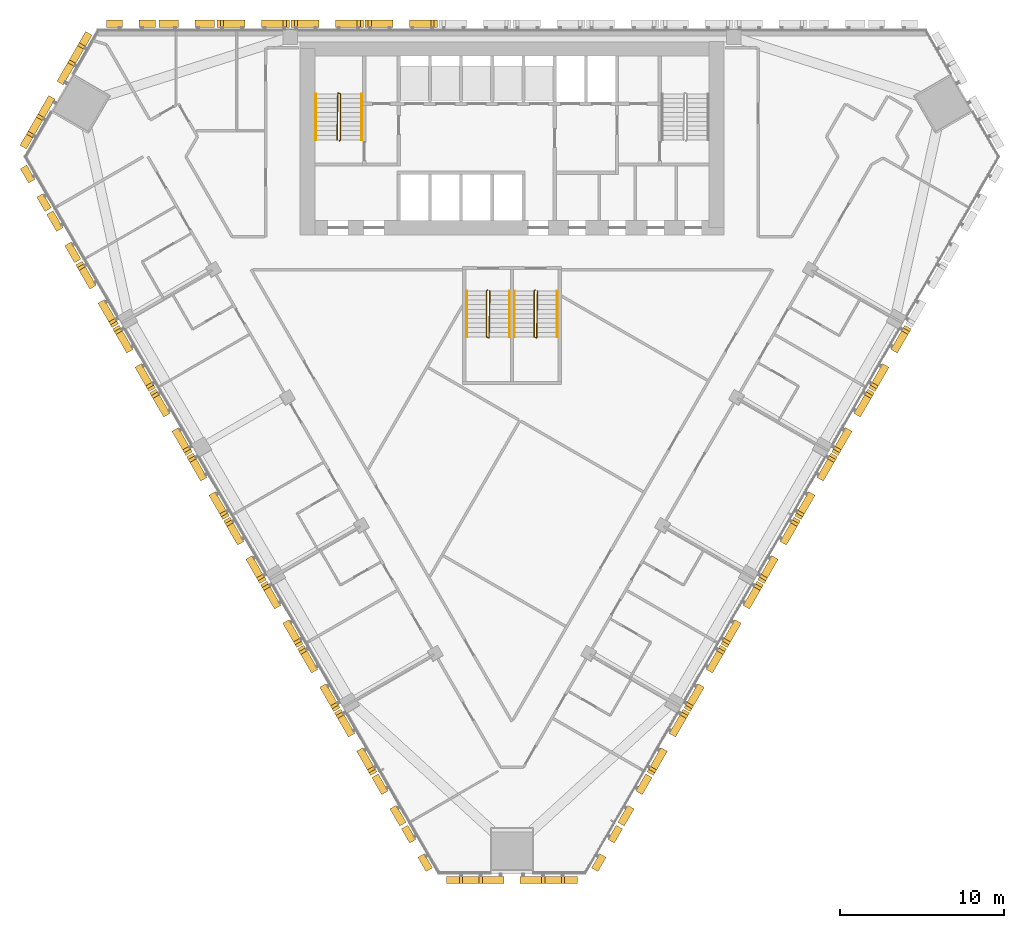
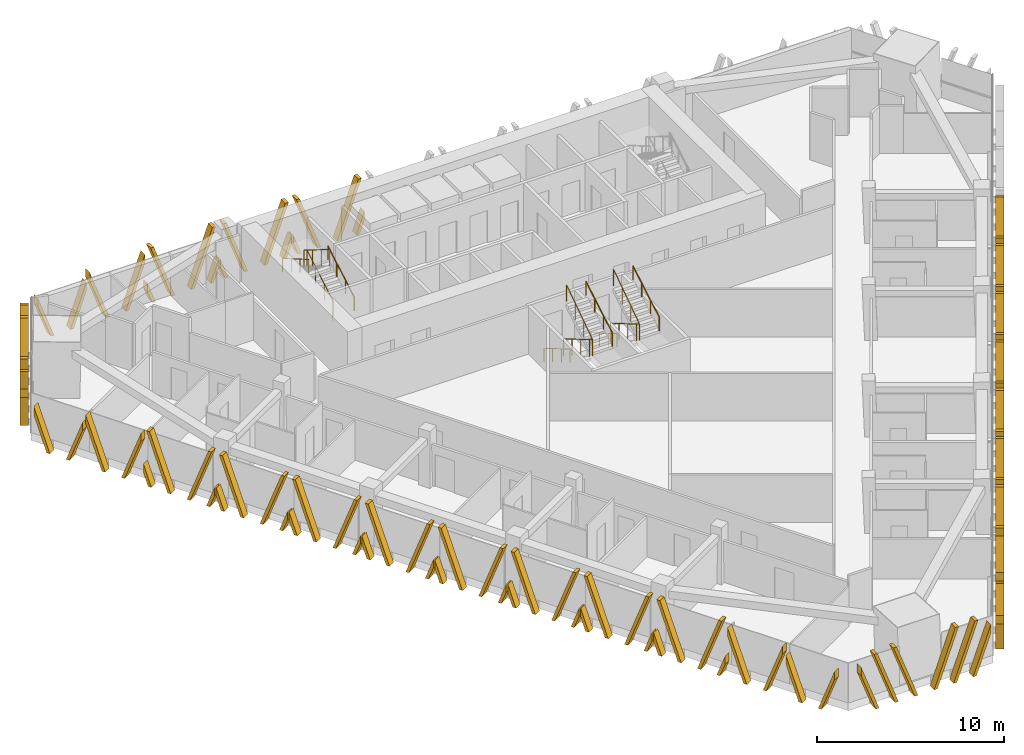
# One storey, part 14 of 16: 28 shading devices, 9 railings.
"""IFC4 building model written with IfcOpenShell, lengths in metres."""

import ifcopenshell
import ifcopenshell.guid

model = None  # the IFC model being written
_history = None  # IfcOwnerHistory: only IFC2X3 demands one
_inside = {}  # id of a spatial element -> (the spatial element, [elements in it])
_under = {}  # id of a project, library or spatial element -> (it, [spatial elements below it])
_declared = {}  # id of a project -> (the project, [libraries it declares])
_typed = {}  # id of a type object -> (the type object, [elements of that type])
_made_of = {}  # id of a material, layer set ... -> (it, [elements and type objects made of it])


def new_model(schema):
    """Start an empty IFC model of exactly this schema.

    Asked for "IFC4X3", IfcOpenShell would pick the latest addendum, in which some entities
    have other attributes; the version numbers below select the first issue.
    IFC2X3 requires an IfcOwnerHistory on every rooted entity: one is made here for all.
    """
    global model, _history
    if schema == "IFC4X3":
        model = ifcopenshell.file(schema_version=(4, 3, 0, 0))
    else:
        model = ifcopenshell.file(schema=schema)
    _inside.clear()
    _under.clear()
    _declared.clear()
    _typed.clear()
    _made_of.clear()
    _history = None
    if model.schema == "IFC2X3":
        org = make("IfcOrganization", Name="unknown")
        user = make(
            "IfcPersonAndOrganization",
            ThePerson=make("IfcPerson", FamilyName="unknown"),
            TheOrganization=org,
        )
        app = make(
            "IfcApplication",
            ApplicationDeveloper=org,
            Version="unknown",
            ApplicationFullName="unknown",
            ApplicationIdentifier="unknown",
        )
        _history = make(
            "IfcOwnerHistory",
            OwningUser=user,
            OwningApplication=app,
            ChangeAction="ADDED",
            CreationDate=0,
        )
    return model


def make(cls, **values):
    """One entity of the class cls with the attributes given. An attribute that is None is left unset."""
    return model.create_entity(
        cls, **{name: value for name, value in values.items() if value is not None}
    )


def rooted(cls, **values):
    """An entity with a GlobalId (a new one), such as an element, a storey or a relation."""
    return make(cls, GlobalId=ifcopenshell.guid.new(), OwnerHistory=_history, **values)


def si_unit(unit_type, name, prefix=None):
    """IfcSIUnit, for example si_unit("LENGTHUNIT", "METRE", prefix="MILLI")."""
    return make("IfcSIUnit", UnitType=unit_type, Prefix=prefix, Name=name)


def assignment(units):
    """IfcUnitAssignment: the units of a project."""
    return None if units is None else make("IfcUnitAssignment", Units=units)


def point(xyz):
    """IfcCartesianPoint."""
    return None if xyz is None else make("IfcCartesianPoint", Coordinates=xyz)


def direction(xyz):
    """IfcDirection."""
    return None if xyz is None else make("IfcDirection", DirectionRatios=xyz)


def frame(location, z_axis=None, x_axis=None):
    """IfcAxis2Placement3D, a coordinate frame: its origin and axes. An axis left out is left unset."""
    return make(
        "IfcAxis2Placement3D",
        Location=point(location),
        Axis=direction(z_axis),
        RefDirection=direction(x_axis),
    )


def frame_2d(location, x_axis=None):
    """IfcAxis2Placement2D, a coordinate frame in the plane: its origin and x axis."""
    return make(
        "IfcAxis2Placement2D", Location=point(location), RefDirection=direction(x_axis)
    )


def origin():
    """The frame at (0, 0, 0) with its axes left unset."""
    return frame((0.0, 0.0, 0.0))


def origin_2d():
    """The frame at (0, 0) in the plane with its x axis left unset."""
    return frame_2d((0.0, 0.0))


def place(relative_to, where):
    """IfcLocalPlacement: puts the frame where relative to a parent placement (None: the world)."""
    return make(
        "IfcLocalPlacement", PlacementRelTo=relative_to, RelativePlacement=where
    )


def context(
    kind, dimensions, precision=None, world=None, true_north=None, identifier=None
):
    """IfcGeometricRepresentationContext, for example the 3D "Model" context."""
    return make(
        "IfcGeometricRepresentationContext",
        ContextIdentifier=identifier,
        ContextType=kind,
        CoordinateSpaceDimension=dimensions,
        Precision=precision,
        WorldCoordinateSystem=world,
        TrueNorth=true_north,
    )


def subcontext(parent, identifier, kind, view, scale=None):
    """IfcGeometricRepresentationSubContext, for example "Body" below "Model"."""
    return make(
        "IfcGeometricRepresentationSubContext",
        ContextIdentifier=identifier,
        ContextType=kind,
        ParentContext=parent,
        TargetScale=scale,
        TargetView=view,
    )


def project(units=None, contexts=None):
    """IfcProject with its units and contexts."""
    return rooted(
        "IfcProject",
        Name="project",
        RepresentationContexts=contexts,
        UnitsInContext=assignment(units),
    )


def spatial(cls, under=None, at=None, **own):
    """A site, building, storey or space (cls), placed at a placement, below another one or the project."""
    s = rooted(cls, ObjectPlacement=at, **own)
    if under is not None:
        _under.setdefault(under.id(), (under, []))[1].append(s)
    return s


def polyline(points):
    """IfcPolyline through the points."""
    return make("IfcPolyline", Points=[point(p) for p in points])


def profile(cls, at=None, kind="AREA", **sizes):
    """A parametric profile (cls). Its sizes go by their IFC names, for example OverallWidth=200.0."""
    return make(cls, ProfileType=kind, Position=at, **sizes)


def circle(**sizes):
    """IfcCircleProfileDef."""
    return profile("IfcCircleProfileDef", **sizes)


def outline(outer, holes=None, kind="AREA"):
    """IfcArbitraryClosedProfileDef: a profile drawn as a closed curve; with holes, ...WithVoids."""
    if holes is None:
        return make("IfcArbitraryClosedProfileDef", ProfileType=kind, OuterCurve=outer)
    return make(
        "IfcArbitraryProfileDefWithVoids",
        ProfileType=kind,
        OuterCurve=outer,
        InnerCurves=holes,
    )


def extrude(swept, where, along, depth):
    """IfcExtrudedAreaSolid: the profile swept, set in the frame where, extruded along a direction by depth."""
    return make(
        "IfcExtrudedAreaSolid",
        SweptArea=swept,
        Position=where,
        ExtrudedDirection=direction(along),
        Depth=depth,
    )


def shape(context_of_items, identifier, shape_type, items):
    """IfcShapeRepresentation: the items that make up one representation, for example the "Body"."""
    return make(
        "IfcShapeRepresentation",
        ContextOfItems=context_of_items,
        RepresentationIdentifier=identifier,
        RepresentationType=shape_type,
        Items=items,
    )


def source(mapping_origin, context_of_items, identifier, shape_type, items):
    """IfcRepresentationMap: a shape defined once, which mapped items show again and again."""
    return make(
        "IfcRepresentationMap",
        MappingOrigin=mapping_origin,
        MappedRepresentation=shape(context_of_items, identifier, shape_type, items),
    )


def transform(
    local_origin,
    x_axis=None,
    y_axis=None,
    z_axis=None,
    scale=None,
    scale2=None,
    scale3=None,
    uniform=True,
):
    """IfcCartesianTransformationOperator3D, or its non-uniform kind. x_axis, y_axis, z_axis: its Axis1, 2, 3."""
    if uniform:
        return make(
            "IfcCartesianTransformationOperator3D",
            Axis1=direction(x_axis),
            Axis2=direction(y_axis),
            LocalOrigin=point(local_origin),
            Scale=scale,
            Axis3=direction(z_axis),
        )
    return make(
        "IfcCartesianTransformationOperator3DnonUniform",
        Axis1=direction(x_axis),
        Axis2=direction(y_axis),
        LocalOrigin=point(local_origin),
        Scale=scale,
        Axis3=direction(z_axis),
        Scale2=scale2,
        Scale3=scale3,
    )


def mapped(mapping_source, mapping_target):
    """IfcMappedItem: shows the shape of a source again, moved by a transform."""
    return make(
        "IfcMappedItem", MappingSource=mapping_source, MappingTarget=mapping_target
    )


def material(Name=None, Category=None):
    """IfcMaterial."""
    return make("IfcMaterial", Name=Name, Category=Category)


def made_of(thing, what):
    """Note that an element or type object is made of a material, layer set ...; save() writes the relation."""
    if what is not None:
        _made_of.setdefault(what.id(), (what, []))[1].append(thing)
    return thing


def type_object(cls, material=None, **own):
    """A type object (cls), such as IfcWallType, which elements share."""
    return made_of(rooted(cls, **own), material)


def element(
    cls,
    number,
    at=None,
    inside=None,
    cuts=None,
    type_object=None,
    material=None,
    context=None,
    identifier="Body",
    shape_type=None,
    held_by="IfcProductDefinitionShape",
    body=None,
    shapes=None,
    **own,
):
    """One element of the class cls, such as IfcWall. Its Tag is "e" and its number.

    at: its placement. inside: the storey or other place that contains it. cuts: it is an
    opening in that element (IfcRelVoidsElement). A single representation is given by context,
    identifier, shape_type and body (its items); several are given by shapes. held_by: the class
    of the entity that holds the representations. save() writes the other relations.
    """
    e = rooted(cls, Tag="e%d" % number, ObjectPlacement=at, **own)
    if body is not None:
        shapes = [shape(context, identifier, shape_type, body)]
    if shapes is not None:
        e.Representation = make(held_by, Representations=shapes)
    if inside is not None:
        _inside.setdefault(inside.id(), (inside, []))[1].append(e)
    if cuts is not None:
        rooted(
            "IfcRelVoidsElement", RelatingBuildingElement=cuts, RelatedOpeningElement=e
        )
    if type_object is not None:
        _typed.setdefault(type_object.id(), (type_object, []))[1].append(e)
    return made_of(e, material)


def aggregate(whole, parts):
    """IfcRelAggregates: a whole, such as a stair, and the parts it consists of."""
    return rooted("IfcRelAggregates", RelatingObject=whole, RelatedObjects=parts)


def save(model, path):
    """Write the relations noted so far, then the file.

    IfcRelAggregates (storeys below a building ...), IfcRelContainedInSpatialStructure (elements
    in a storey), IfcRelDefinesByType, IfcRelAssociatesMaterial and IfcRelDeclares: one each for
    every whole, place, type object, material and project.
    """
    for whole, parts in _under.values():
        aggregate(whole, parts)
    for where, things in _inside.values():
        rooted(
            "IfcRelContainedInSpatialStructure",
            RelatedElements=things,
            RelatingStructure=where,
        )
    for kind, things in _typed.values():
        rooted("IfcRelDefinesByType", RelatedObjects=things, RelatingType=kind)
    for what, things in _made_of.values():
        rooted("IfcRelAssociatesMaterial", RelatedObjects=things, RelatingMaterial=what)
    for by, libraries in _declared.values():
        rooted("IfcRelDeclares", RelatingContext=by, RelatedDefinitions=libraries)
    model.write(path)


model = new_model("IFC4")

# Units and contexts
model_context = context("Model", 3, precision=1e-05, world=origin(), true_north=direction((0.0, 1.0)))
body_context = subcontext(model_context, "Body", "Model", "MODEL_VIEW")
ifc_project = project(units=[si_unit("LENGTHUNIT", "METRE"), si_unit("AREAUNIT", "SQUARE_METRE"), si_unit("VOLUMEUNIT", "CUBIC_METRE"), si_unit("PLANEANGLEUNIT", "RADIAN"), si_unit("MASSUNIT", "GRAM", prefix="KILO")], contexts=[model_context])

# Site, building, storey
site_placement = place(None, origin())
site = spatial("IfcSite", under=ifc_project, at=site_placement, CompositionType="ELEMENT")
building_placement = place(site_placement, origin())
building = spatial("IfcBuilding", under=site, at=building_placement, Name="Altiplano Prism Tower", CompositionType="ELEMENT")
storey_placement = place(building_placement, frame((0.0, 0.0, 77.39990234375)))
storey = spatial("IfcBuildingStorey", under=building, at=storey_placement, Name="L19", CompositionType="ELEMENT", Elevation=77.39990234375)

# Railings
ifc_material_1 = material(Name="Steel S355", Category="steel")
railing_type_1 = type_object("IfcRailingType", Name="Stair guard 1100", PredefinedType="GUARDRAIL", material=ifc_material_1)
railing_1_placement = place(storey_placement, frame((74.5, 98.25, 0.0)))
element("IfcRailing", 1, at=railing_1_placement, inside=storey, type_object=railing_type_1, Name="L19 ST1 stair guard 1", PredefinedType="GUARDRAIL", context=body_context, shape_type="SweptSolid", body=[
    extrude(circle(Radius=0.02392578125, at=origin_2d()), frame((0.0, 0.0, 1.076171875), z_axis=(0.280456126637, 0.280456126637, 0.917980785237), x_axis=(-0.707106781187, 0.707106781187, 0.0)), (0.0, 0.0, 1.0), 0.178466796875),
    extrude(circle(Radius=0.02392578125, at=origin_2d()), frame((0.050048828125, 0.050048828125, 1.23974609375), z_axis=(0.0, 0.863393664356, 0.504530851732), x_axis=(-1.0, 0.0, 0.0)), (0.0, 0.0, 1.0), 3.2431640625),
    extrude(circle(Radius=0.02392578125, at=origin_2d()), frame((0.050048828125, 2.85009765625, 2.8759765625), z_axis=(-0.949145278916, 0.314838433982, 0.0), x_axis=(-0.314838433982, -0.949145278916, 0.0)), (0.0, 0.0, 1.0), 0.158203125),
    extrude(circle(Radius=0.02392578125, at=origin_2d()), frame((-0.10009765625, 2.89990234375, 2.8759765625), z_axis=(-0.01477401265, -0.845377694409, 0.533964682676), x_axis=(0.999847325713, -0.01747355902, 0.0)), (0.0, 0.0, 1.0), 3.37109375),
    extrude(circle(Radius=0.02099609375, at=origin_2d()), origin(), (0.0, 0.0, 1.0), 1.052001953125),
    extrude(circle(Radius=0.02099609375, at=origin_2d()), frame((0.050048828125, 0.050048828125, 0.163818359375)), (0.0, 0.0, 1.0), 1.052001953125),
    extrude(circle(Radius=0.02099609375, at=origin_2d()), frame((0.050048828125, 0.9833984375, 0.709228515625)), (0.0, 0.0, 1.0), 1.052001953125),
    extrude(circle(Radius=0.02099609375, at=origin_2d()), frame((0.050048828125, 1.916748046875, 1.254638671875)), (0.0, 0.0, 1.0), 1.052001953125),
    extrude(circle(Radius=0.02099609375, at=origin_2d()), frame((0.050048828125, 2.85009765625, 1.800048828125)), (0.0, 0.0, 1.0), 1.052001953125),
    extrude(circle(Radius=0.02099609375, at=origin_2d()), frame((-0.10009765625, 2.89990234375, 1.800048828125)), (0.0, 0.0, 1.0), 1.052001953125),
    extrude(circle(Radius=0.02099609375, at=origin_2d()), frame((-0.11669921875, 1.949951171875, 2.400146484375)), (0.0, 0.0, 1.0), 1.052001953125),
    extrude(circle(Radius=0.02099609375, at=origin_2d()), frame((-0.13330078125, 1.0, 3.0)), (0.0, 0.0, 1.0), 1.052001953125),
    extrude(circle(Radius=0.02099609375, at=origin_2d()), frame((-0.14990234375, 0.050048828125, 3.60009765625)), (0.0, 0.0, 1.0), 1.052001953125),
])
railing_2_placement = place(storey_placement, frame((83.5, 89.14990234375, 0.0)))
element("IfcRailing", 2, at=railing_2_placement, inside=storey, type_object=railing_type_1, Name="L19 ST3A stair guard 1", PredefinedType="GUARDRAIL", context=body_context, shape_type="SweptSolid", body=[
    extrude(circle(Radius=0.02392578125, at=origin_2d()), frame((0.0, 0.0, 1.076171875), z_axis=(-0.280563532951, -0.279194930351, 0.91833234444), x_axis=(0.705375805398, -0.708833529934, 0.0)), (0.0, 0.0, 1.0), 0.178466796875),
    extrude(circle(Radius=0.02392578125, at=origin_2d()), frame((-0.050048828125, -0.0498046875, 1.23974609375), z_axis=(0.0, -0.863393664356, 0.504530851732), x_axis=(1.0, 0.0, 0.0)), (0.0, 0.0, 1.0), 3.2431640625),
    extrude(circle(Radius=0.02392578125, at=origin_2d()), frame((-0.050048828125, -2.849853515625, 2.8759765625), z_axis=(0.948683298051, -0.316227766017, 0.0), x_axis=(0.316227766017, 0.948683298051, 0.0)), (0.0, 0.0, 1.0), 0.158203125),
    extrude(circle(Radius=0.02392578125, at=origin_2d()), frame((0.10009765625, -2.89990234375, 2.8759765625), z_axis=(0.014773108175, 0.84539835705, 0.533931993021), x_axis=(-0.999847351862, 0.017472062685, 0.0)), (0.0, 0.0, 1.0), 3.371337890625),
    extrude(circle(Radius=0.02099609375, at=origin_2d()), origin(), (0.0, 0.0, 1.0), 1.052001953125),
    extrude(circle(Radius=0.02099609375, at=origin_2d()), frame((-0.050048828125, -0.0498046875, 0.163818359375)), (0.0, 0.0, 1.0), 1.052001953125),
    extrude(circle(Radius=0.02099609375, at=origin_2d()), frame((-0.050048828125, -0.983154296875, 0.709228515625)), (0.0, 0.0, 1.0), 1.052001953125),
    extrude(circle(Radius=0.02099609375, at=origin_2d()), frame((-0.050048828125, -1.91650390625, 1.254638671875)), (0.0, 0.0, 1.0), 1.052001953125),
    extrude(circle(Radius=0.02099609375, at=origin_2d()), frame((-0.050048828125, -2.849853515625, 1.800048828125)), (0.0, 0.0, 1.0), 1.052001953125),
    extrude(circle(Radius=0.02099609375, at=origin_2d()), frame((0.10009765625, -2.89990234375, 1.800048828125)), (0.0, 0.0, 1.0), 1.052001953125),
    extrude(circle(Radius=0.02099609375, at=origin_2d()), frame((0.11669921875, -1.949951171875, 2.400146484375)), (0.0, 0.0, 1.0), 1.052001953125),
    extrude(circle(Radius=0.02099609375, at=origin_2d()), frame((0.13330078125, -0.999755859375, 3.0)), (0.0, 0.0, 1.0), 1.052001953125),
    extrude(circle(Radius=0.02099609375, at=origin_2d()), frame((0.14990234375, -0.0498046875, 3.60009765625)), (0.0, 0.0, 1.0), 1.052001953125),
])
railing_3_placement = place(storey_placement, frame((86.39990234375, 89.14990234375, 0.0)))
element("IfcRailing", 3, at=railing_3_placement, inside=storey, type_object=railing_type_1, Name="L19 ST3B stair guard 1", PredefinedType="GUARDRAIL", context=body_context, shape_type="SweptSolid", body=[
    extrude(circle(Radius=0.02392578125, at=origin_2d()), frame((0.0, 0.0, 1.076171875), z_axis=(-0.279301935624, -0.279301935624, 0.918684307863), x_axis=(0.707106781187, -0.707106781187, 0.0)), (0.0, 0.0, 1.0), 0.17822265625),
    extrude(circle(Radius=0.02392578125, at=origin_2d()), frame((-0.0498046875, -0.0498046875, 1.23974609375), z_axis=(0.0, -0.863393664356, 0.504530851732), x_axis=(1.0, 0.0, 0.0)), (0.0, 0.0, 1.0), 3.2431640625),
    extrude(circle(Radius=0.02392578125, at=origin_2d()), frame((-0.0498046875, -2.849853515625, 2.8759765625), z_axis=(0.948528701346, -0.316691178788, 0.0), x_axis=(0.316691178788, 0.948528701346, 0.0)), (0.0, 0.0, 1.0), 0.157958984375),
    extrude(circle(Radius=0.02392578125, at=origin_2d()), frame((0.10009765625, -2.89990234375, 2.8759765625), z_axis=(0.014845509451, 0.845397450405, 0.533931420407), x_axis=(-0.999845851991, 0.017557683712, 0.0)), (0.0, 0.0, 1.0), 3.371337890625),
    extrude(circle(Radius=0.02099609375, at=origin_2d()), origin(), (0.0, 0.0, 1.0), 1.052001953125),
    extrude(circle(Radius=0.02099609375, at=origin_2d()), frame((-0.0498046875, -0.0498046875, 0.163818359375)), (0.0, 0.0, 1.0), 1.052001953125),
    extrude(circle(Radius=0.02099609375, at=origin_2d()), frame((-0.0498046875, -0.983154296875, 0.709228515625)), (0.0, 0.0, 1.0), 1.052001953125),
    extrude(circle(Radius=0.02099609375, at=origin_2d()), frame((-0.0498046875, -1.91650390625, 1.254638671875)), (0.0, 0.0, 1.0), 1.052001953125),
    extrude(circle(Radius=0.02099609375, at=origin_2d()), frame((-0.0498046875, -2.849853515625, 1.800048828125)), (0.0, 0.0, 1.0), 1.052001953125),
    extrude(circle(Radius=0.02099609375, at=origin_2d()), frame((0.10009765625, -2.89990234375, 1.800048828125)), (0.0, 0.0, 1.0), 1.052001953125),
    extrude(circle(Radius=0.02099609375, at=origin_2d()), frame((0.11669921875, -1.949951171875, 2.400146484375)), (0.0, 0.0, 1.0), 1.052001953125),
    extrude(circle(Radius=0.02099609375, at=origin_2d()), frame((0.133544921875, -0.999755859375, 3.0)), (0.0, 0.0, 1.0), 1.052001953125),
    extrude(circle(Radius=0.02099609375, at=origin_2d()), frame((0.150146484375, -0.0498046875, 3.60009765625)), (0.0, 0.0, 1.0), 1.052001953125),
])
railing_type_2 = type_object("IfcRailingType", Name="Stair handrail 900", PredefinedType="HANDRAIL", material=ifc_material_1)
railing_4_placement = place(storey_placement, frame((75.85009765625, 98.300048828125, 0.163818359375)))
element("IfcRailing", 4, at=railing_4_placement, inside=storey, type_object=railing_type_2, Name="L19 ST1 stair handrail 1", PredefinedType="HANDRAIL", context=body_context, shape_type="SweptSolid", body=[
    extrude(circle(Radius=0.02392578125, at=origin_2d()), frame((0.0, 0.0, 0.8759765625), z_axis=(0.0, 0.863393664356, 0.504530851732), x_axis=(-1.0, 0.0, 0.0)), (0.0, 0.0, 1.0), 3.2431640625),
    extrude(circle(Radius=0.02099609375, at=origin_2d()), origin(), (0.0, 0.0, 1.0), 0.851806640625),
    extrude(circle(Radius=0.02099609375, at=origin_2d()), frame((0.0, 0.933349609375, 0.54541015625)), (0.0, 0.0, 1.0), 0.851806640625),
    extrude(circle(Radius=0.02099609375, at=origin_2d()), frame((0.0, 1.86669921875, 1.0908203125)), (0.0, 0.0, 1.0), 0.851806640625),
    extrude(circle(Radius=0.02099609375, at=origin_2d()), frame((0.0, 2.800048828125, 1.63623046875)), (0.0, 0.0, 1.0), 0.851806640625),
])
railing_5_placement = place(storey_placement, frame((73.050048828125, 101.10009765625, 1.963623046875)))
element("IfcRailing", 5, at=railing_5_placement, inside=storey, type_object=railing_type_2, Name="L19 ST1 stair handrail 2", PredefinedType="HANDRAIL", context=body_context, shape_type="SweptSolid", body=[
    extrude(circle(Radius=0.02392578125, at=origin_2d()), frame((0.0, 0.0, 0.8759765625), z_axis=(0.0, -0.863360870873, 0.504586966384), x_axis=(1.0, 0.0, 0.0)), (0.0, 0.0, 1.0), 3.2431640625),
    extrude(circle(Radius=0.02099609375, at=origin_2d()), origin(), (0.0, 0.0, 1.0), 0.851806640625),
    extrude(circle(Radius=0.02099609375, at=origin_2d()), frame((0.0, -0.933349609375, 0.54541015625)), (0.0, 0.0, 1.0), 0.851806640625),
    extrude(circle(Radius=0.02099609375, at=origin_2d()), frame((0.0, -1.86669921875, 1.091064453125)), (0.0, 0.0, 1.0), 0.851806640625),
    extrude(circle(Radius=0.02099609375, at=origin_2d()), frame((0.0, -2.800048828125, 1.636474609375)), (0.0, 0.0, 1.0), 0.851806640625),
])
railing_6_placement = place(storey_placement, frame((82.25, 89.10009765625, 0.163818359375)))
element("IfcRailing", 6, at=railing_6_placement, inside=storey, type_object=railing_type_2, Name="L19 ST3A stair handrail 1", PredefinedType="HANDRAIL", context=body_context, shape_type="SweptSolid", body=[
    extrude(circle(Radius=0.02392578125, at=origin_2d()), frame((0.0, 0.0, 0.8759765625), z_axis=(0.0, -0.863393664356, 0.504530851732), x_axis=(1.0, 0.0, 0.0)), (0.0, 0.0, 1.0), 3.2431640625),
    extrude(circle(Radius=0.02099609375, at=origin_2d()), origin(), (0.0, 0.0, 1.0), 0.851806640625),
    extrude(circle(Radius=0.02099609375, at=origin_2d()), frame((0.0, -0.933349609375, 0.54541015625)), (0.0, 0.0, 1.0), 0.851806640625),
    extrude(circle(Radius=0.02099609375, at=origin_2d()), frame((0.0, -1.86669921875, 1.0908203125)), (0.0, 0.0, 1.0), 0.851806640625),
    extrude(circle(Radius=0.02099609375, at=origin_2d()), frame((0.0, -2.800048828125, 1.63623046875)), (0.0, 0.0, 1.0), 0.851806640625),
])
railing_7_placement = place(storey_placement, frame((84.85009765625, 86.300048828125, 1.963623046875)))
element("IfcRailing", 7, at=railing_7_placement, inside=storey, type_object=railing_type_2, Name="L19 ST3A stair handrail 2", PredefinedType="HANDRAIL", context=body_context, shape_type="SweptSolid", body=[
    extrude(circle(Radius=0.02392578125, at=origin_2d()), frame((0.0, 0.0, 0.8759765625), z_axis=(0.0, 0.863360870873, 0.504586966384), x_axis=(-1.0, 0.0, 0.0)), (0.0, 0.0, 1.0), 3.2431640625),
    extrude(circle(Radius=0.02099609375, at=origin_2d()), origin(), (0.0, 0.0, 1.0), 0.851806640625),
    extrude(circle(Radius=0.02099609375, at=origin_2d()), frame((0.0, 0.933349609375, 0.54541015625)), (0.0, 0.0, 1.0), 0.851806640625),
    extrude(circle(Radius=0.02099609375, at=origin_2d()), frame((0.0, 1.86669921875, 1.091064453125)), (0.0, 0.0, 1.0), 0.851806640625),
    extrude(circle(Radius=0.02099609375, at=origin_2d()), frame((0.0, 2.800048828125, 1.636474609375)), (0.0, 0.0, 1.0), 0.851806640625),
])
railing_8_placement = place(storey_placement, frame((85.14990234375, 89.10009765625, 0.163818359375)))
element("IfcRailing", 8, at=railing_8_placement, inside=storey, type_object=railing_type_2, Name="L19 ST3B stair handrail 1", PredefinedType="HANDRAIL", context=body_context, shape_type="SweptSolid", body=[
    extrude(circle(Radius=0.02392578125, at=origin_2d()), frame((0.0, 0.0, 0.8759765625), z_axis=(0.0, -0.863393664356, 0.504530851732), x_axis=(1.0, 0.0, 0.0)), (0.0, 0.0, 1.0), 3.2431640625),
    extrude(circle(Radius=0.02099609375, at=origin_2d()), origin(), (0.0, 0.0, 1.0), 0.851806640625),
    extrude(circle(Radius=0.02099609375, at=origin_2d()), frame((0.0, -0.933349609375, 0.54541015625)), (0.0, 0.0, 1.0), 0.851806640625),
    extrude(circle(Radius=0.02099609375, at=origin_2d()), frame((0.0, -1.86669921875, 1.0908203125)), (0.0, 0.0, 1.0), 0.851806640625),
    extrude(circle(Radius=0.02099609375, at=origin_2d()), frame((0.0, -2.800048828125, 1.63623046875)), (0.0, 0.0, 1.0), 0.851806640625),
])
railing_9_placement = place(storey_placement, frame((87.75, 86.300048828125, 1.963623046875)))
element("IfcRailing", 9, at=railing_9_placement, inside=storey, type_object=railing_type_2, Name="L19 ST3B stair handrail 2", PredefinedType="HANDRAIL", context=body_context, shape_type="SweptSolid", body=[
    extrude(circle(Radius=0.02392578125, at=origin_2d()), frame((0.0, 0.0, 0.8759765625), z_axis=(0.0, 0.863360870873, 0.504586966384), x_axis=(-1.0, 0.0, 0.0)), (0.0, 0.0, 1.0), 3.2431640625),
    extrude(circle(Radius=0.02099609375, at=origin_2d()), origin(), (0.0, 0.0, 1.0), 0.851806640625),
    extrude(circle(Radius=0.02099609375, at=origin_2d()), frame((0.0, 0.933349609375, 0.54541015625)), (0.0, 0.0, 1.0), 0.851806640625),
    extrude(circle(Radius=0.02099609375, at=origin_2d()), frame((0.0, 1.86669921875, 1.091064453125)), (0.0, 0.0, 1.0), 0.851806640625),
    extrude(circle(Radius=0.02099609375, at=origin_2d()), frame((0.0, 2.800048828125, 1.636474609375)), (0.0, 0.0, 1.0), 0.851806640625),
])

# Shading devices
ifc_material_2 = material(Name="Warm limestone cast stone", Category="masonry")
shading_device_type_1 = type_object("IfcShadingDeviceType", Name="Stone fin panel, standard unit", PredefinedType="USERDEFINED", material=ifc_material_2)
shared_shape_1 = source(origin(), body_context, "Body", "SweptSolid", [
    extrude(outline(polyline([(-2.199951171875, 1.373779296875), (-2.199951171875, 0.82421875), (-1.89990234375, 0.0), (-1.699951171875, 0.0), (-2.199951171875, 1.373779296875)])), frame((0.0, -0.14990234375, 0.0), z_axis=(0.0, -1.0, 0.0), x_axis=(1.0, 0.0, 0.0)), (0.0, 0.0, 1.0), 0.4501953125),
    extrude(outline(polyline([(-2.01025390625, 3.60009765625), (-0.699951171875, 0.0), (-0.5, 0.0), (-1.810302734375, 3.60009765625), (-2.01025390625, 3.60009765625)])), frame((0.0, -0.14990234375, 0.0), z_axis=(0.0, -1.0, 0.0), x_axis=(1.0, 0.0, 0.0)), (0.0, 0.0, 1.0), 0.4501953125),
    extrude(outline(polyline([(1.810302734375, 3.60009765625), (0.5, 0.0), (0.699951171875, 0.0), (2.01025390625, 3.60009765625), (1.810302734375, 3.60009765625)])), frame((0.0, -0.14990234375, 0.0), z_axis=(0.0, -1.0, 0.0), x_axis=(1.0, 0.0, 0.0)), (0.0, 0.0, 1.0), 0.4501953125),
    extrude(outline(polyline([(2.199951171875, 0.82421875), (2.199951171875, 1.373779296875), (1.699951171875, 0.0), (1.89990234375, 0.0), (2.199951171875, 0.82421875)])), frame((0.0, -0.14990234375, 0.0), z_axis=(0.0, -1.0, 0.0), x_axis=(1.0, 0.0, 0.0)), (0.0, 0.0, 1.0), 0.4501953125),
])
shading_device_1_placement = place(storey_placement, origin())
element("IfcShadingDevice", 10, at=shading_device_1_placement, inside=storey, type_object=shading_device_type_1, Name="Fin L19 north face 8", ObjectType="FIN", PredefinedType="USERDEFINED", context=body_context, shape_type="MappedRepresentation", body=[
    mapped(shared_shape_1, transform((78.25, 105.0, -0.5), x_axis=(-1.0, 0.0, 0.0), y_axis=(0.0, -1.0, 0.0), z_axis=(0.0, 0.0, 1.0))),
])
shading_device_2_placement = place(storey_placement, origin())
element("IfcShadingDevice", 11, at=shading_device_2_placement, inside=storey, type_object=shading_device_type_1, Name="Fin L19 north face 9", ObjectType="FIN", PredefinedType="USERDEFINED", context=body_context, shape_type="MappedRepresentation", body=[
    mapped(shared_shape_1, transform((73.75, 105.0, -0.5), x_axis=(-1.0, 0.0, 0.0), y_axis=(0.0, -1.0, 0.0), z_axis=(0.0, 0.0, 1.0))),
])
shading_device_3_placement = place(storey_placement, origin())
element("IfcShadingDevice", 12, at=shading_device_3_placement, inside=storey, type_object=shading_device_type_1, Name="Fin L19 north face 10", ObjectType="FIN", PredefinedType="USERDEFINED", context=body_context, shape_type="MappedRepresentation", body=[
    mapped(shared_shape_1, transform((69.25, 105.0, -0.5), x_axis=(-1.0, 0.0, 0.0), y_axis=(0.0, -1.0, 0.0), z_axis=(0.0, 0.0, 1.0))),
])
shading_device_4_placement = place(storey_placement, origin())
element("IfcShadingDevice", 13, at=shading_device_4_placement, inside=storey, type_object=shading_device_type_1, Name="Fin L19 south-west face 3", ObjectType="FIN", PredefinedType="USERDEFINED", context=body_context, shape_type="MappedRepresentation", body=[
    mapped(shared_shape_1, transform((60.058349609375, 89.07958984375, -0.5), x_axis=(0.500000004206, -0.866025401356, 0.0), y_axis=(0.866025401356, 0.500000004206, 0.0), z_axis=(0.0, 0.0, 1.0))),
])
shading_device_5_placement = place(storey_placement, origin())
element("IfcShadingDevice", 14, at=shading_device_5_placement, inside=storey, type_object=shading_device_type_1, Name="Fin L19 south-west face 4", ObjectType="FIN", PredefinedType="USERDEFINED", context=body_context, shape_type="MappedRepresentation", body=[
    mapped(shared_shape_1, transform((62.308349609375, 85.182373046875, -0.5), x_axis=(0.500000004206, -0.866025401356, 0.0), y_axis=(0.866025401356, 0.500000004206, 0.0), z_axis=(0.0, 0.0, 1.0))),
])
shading_device_6_placement = place(storey_placement, origin())
element("IfcShadingDevice", 15, at=shading_device_6_placement, inside=storey, type_object=shading_device_type_1, Name="Fin L19 south-west face 5", ObjectType="FIN", PredefinedType="USERDEFINED", context=body_context, shape_type="MappedRepresentation", body=[
    mapped(shared_shape_1, transform((64.558349609375, 81.285400390625, -0.5), x_axis=(0.500000004206, -0.866025401356, 0.0), y_axis=(0.866025401356, 0.500000004206, 0.0), z_axis=(0.0, 0.0, 1.0))),
])
shading_device_7_placement = place(storey_placement, origin())
element("IfcShadingDevice", 16, at=shading_device_7_placement, inside=storey, type_object=shading_device_type_1, Name="Fin L19 south-west face 6", ObjectType="FIN", PredefinedType="USERDEFINED", context=body_context, shape_type="MappedRepresentation", body=[
    mapped(shared_shape_1, transform((66.808349609375, 77.38818359375, -0.5), x_axis=(0.500000004206, -0.866025401356, 0.0), y_axis=(0.866025401356, 0.500000004206, 0.0), z_axis=(0.0, 0.0, 1.0))),
])
shading_device_8_placement = place(storey_placement, origin())
element("IfcShadingDevice", 17, at=shading_device_8_placement, inside=storey, type_object=shading_device_type_1, Name="Fin L19 south-west face 7", ObjectType="FIN", PredefinedType="USERDEFINED", context=body_context, shape_type="MappedRepresentation", body=[
    mapped(shared_shape_1, transform((69.058349609375, 73.490966796875, -0.5), x_axis=(0.500000004206, -0.866025401356, 0.0), y_axis=(0.866025401356, 0.500000004206, 0.0), z_axis=(0.0, 0.0, 1.0))),
])
shading_device_9_placement = place(storey_placement, origin())
element("IfcShadingDevice", 18, at=shading_device_9_placement, inside=storey, type_object=shading_device_type_1, Name="Fin L19 south-west face 8", ObjectType="FIN", PredefinedType="USERDEFINED", context=body_context, shape_type="MappedRepresentation", body=[
    mapped(shared_shape_1, transform((71.308349609375, 69.593994140625, -0.5), x_axis=(0.500000004206, -0.866025401356, 0.0), y_axis=(0.866025401356, 0.500000004206, 0.0), z_axis=(0.0, 0.0, 1.0))),
])
shading_device_10_placement = place(storey_placement, origin())
element("IfcShadingDevice", 19, at=shading_device_10_placement, inside=storey, type_object=shading_device_type_1, Name="Fin L19 south-west face 9", ObjectType="FIN", PredefinedType="USERDEFINED", context=body_context, shape_type="MappedRepresentation", body=[
    mapped(shared_shape_1, transform((73.558349609375, 65.69677734375, -0.5), x_axis=(0.500000004206, -0.866025401356, 0.0), y_axis=(0.866025401356, 0.500000004206, 0.0), z_axis=(0.0, 0.0, 1.0))),
])
shading_device_11_placement = place(storey_placement, origin())
element("IfcShadingDevice", 20, at=shading_device_11_placement, inside=storey, type_object=shading_device_type_1, Name="Fin L19 south-west face 10", ObjectType="FIN", PredefinedType="USERDEFINED", context=body_context, shape_type="MappedRepresentation", body=[
    mapped(shared_shape_1, transform((75.808349609375, 61.7998046875, -0.5), x_axis=(0.500000004206, -0.866025401356, 0.0), y_axis=(0.866025401356, 0.500000004206, 0.0), z_axis=(0.0, 0.0, 1.0))),
])
shading_device_12_placement = place(storey_placement, origin())
element("IfcShadingDevice", 21, at=shading_device_12_placement, inside=storey, type_object=shading_device_type_1, Name="Fin L19 south-east face 3", ObjectType="FIN", PredefinedType="USERDEFINED", context=body_context, shape_type="MappedRepresentation", body=[
    mapped(shared_shape_1, transform((94.191650390625, 61.7998046875, -0.5), x_axis=(0.500000004206, 0.866025401356, 0.0), y_axis=(-0.866025401356, 0.500000004206, 0.0), z_axis=(0.0, 0.0, 1.0))),
])
shading_device_13_placement = place(storey_placement, origin())
element("IfcShadingDevice", 22, at=shading_device_13_placement, inside=storey, type_object=shading_device_type_1, Name="Fin L19 south-east face 4", ObjectType="FIN", PredefinedType="USERDEFINED", context=body_context, shape_type="MappedRepresentation", body=[
    mapped(shared_shape_1, transform((96.441650390625, 65.69677734375, -0.5), x_axis=(0.500000004206, 0.866025401356, 0.0), y_axis=(-0.866025401356, 0.500000004206, 0.0), z_axis=(0.0, 0.0, 1.0))),
])
shading_device_14_placement = place(storey_placement, origin())
element("IfcShadingDevice", 23, at=shading_device_14_placement, inside=storey, type_object=shading_device_type_1, Name="Fin L19 south-east face 5", ObjectType="FIN", PredefinedType="USERDEFINED", context=body_context, shape_type="MappedRepresentation", body=[
    mapped(shared_shape_1, transform((98.691650390625, 69.593994140625, -0.5), x_axis=(0.500000004206, 0.866025401356, 0.0), y_axis=(-0.866025401356, 0.500000004206, 0.0), z_axis=(0.0, 0.0, 1.0))),
])
shading_device_15_placement = place(storey_placement, origin())
element("IfcShadingDevice", 24, at=shading_device_15_placement, inside=storey, type_object=shading_device_type_1, Name="Fin L19 south-east face 6", ObjectType="FIN", PredefinedType="USERDEFINED", context=body_context, shape_type="MappedRepresentation", body=[
    mapped(shared_shape_1, transform((100.941650390625, 73.490966796875, -0.5), x_axis=(0.500000004206, 0.866025401356, 0.0), y_axis=(-0.866025401356, 0.500000004206, 0.0), z_axis=(0.0, 0.0, 1.0))),
])
shading_device_16_placement = place(storey_placement, origin())
element("IfcShadingDevice", 25, at=shading_device_16_placement, inside=storey, type_object=shading_device_type_1, Name="Fin L19 south-east face 7", ObjectType="FIN", PredefinedType="USERDEFINED", context=body_context, shape_type="MappedRepresentation", body=[
    mapped(shared_shape_1, transform((103.191650390625, 77.38818359375, -0.5), x_axis=(0.500000004206, 0.866025401356, 0.0), y_axis=(-0.866025401356, 0.500000004206, 0.0), z_axis=(0.0, 0.0, 1.0))),
])
shading_device_17_placement = place(storey_placement, origin())
element("IfcShadingDevice", 26, at=shading_device_17_placement, inside=storey, type_object=shading_device_type_1, Name="Fin L19 south-east face 8", ObjectType="FIN", PredefinedType="USERDEFINED", context=body_context, shape_type="MappedRepresentation", body=[
    mapped(shared_shape_1, transform((105.441650390625, 81.285400390625, -0.5), x_axis=(0.500000004206, 0.866025401356, 0.0), y_axis=(-0.866025401356, 0.500000004206, 0.0), z_axis=(0.0, 0.0, 1.0))),
])
shading_device_18_placement = place(storey_placement, origin())
element("IfcShadingDevice", 27, at=shading_device_18_placement, inside=storey, type_object=shading_device_type_1, Name="Fin L19 south-east face 9", ObjectType="FIN", PredefinedType="USERDEFINED", context=body_context, shape_type="MappedRepresentation", body=[
    mapped(shared_shape_1, transform((107.691650390625, 85.182373046875, -0.5), x_axis=(0.500000004206, 0.866025401356, 0.0), y_axis=(-0.866025401356, 0.500000004206, 0.0), z_axis=(0.0, 0.0, 1.0))),
])
shading_device_type_2 = type_object("IfcShadingDeviceType", Name="Stone fin panel, narrow closing bay", PredefinedType="USERDEFINED", material=ifc_material_2)
shared_shape_2 = source(origin(), body_context, "Body", "SweptSolid", [
    extrude(outline(polyline([(-1.699951171875, 3.297119140625), (-1.699951171875, 2.74755859375), (-0.699951171875, 0.0), (-0.5, 0.0), (-1.699951171875, 3.297119140625)])), frame((0.0, -0.14990234375, 0.0), z_axis=(0.0, -1.0, 0.0), x_axis=(1.0, 0.0, 0.0)), (0.0, 0.0, 1.0), 0.4501953125),
    extrude(outline(polyline([(1.699951171875, 2.74755859375), (1.699951171875, 3.297119140625), (0.5, 0.0), (0.699951171875, 0.0), (1.699951171875, 2.74755859375)])), frame((0.0, -0.14990234375, 0.0), z_axis=(0.0, -1.0, 0.0), x_axis=(1.0, 0.0, 0.0)), (0.0, 0.0, 1.0), 0.4501953125),
])
shading_device_19_placement = place(storey_placement, origin())
element("IfcShadingDevice", 28, at=shading_device_19_placement, inside=storey, type_object=shading_device_type_2, Name="Fin L19 north face 11", ObjectType="FIN", PredefinedType="USERDEFINED", context=body_context, shape_type="MappedRepresentation", body=[
    mapped(shared_shape_2, transform((65.197265625, 105.0, -0.5), x_axis=(-1.0, 0.0, 0.0), y_axis=(0.0, -1.0, 0.0), z_axis=(0.0, 0.0, 1.0))),
])
shading_device_20_placement = place(storey_placement, origin())
element("IfcShadingDevice", 29, at=shading_device_20_placement, inside=storey, type_object=shading_device_type_2, Name="Fin L19 south-west face 2", ObjectType="FIN", PredefinedType="USERDEFINED", context=body_context, shape_type="MappedRepresentation", body=[
    mapped(shared_shape_2, transform((58.031982421875, 92.58935546875, -0.5), x_axis=(0.500000004206, -0.866025401356, 0.0), y_axis=(0.866025401356, 0.500000004206, 0.0), z_axis=(0.0, 0.0, 1.0))),
])
shading_device_21_placement = place(storey_placement, origin())
element("IfcShadingDevice", 30, at=shading_device_21_placement, inside=storey, type_object=shading_device_type_2, Name="Fin L19 south-west face 11", ObjectType="FIN", PredefinedType="USERDEFINED", context=body_context, shape_type="MappedRepresentation", body=[
    mapped(shared_shape_2, transform((77.834716796875, 58.2900390625, -0.5), x_axis=(0.500000004206, -0.866025401356, 0.0), y_axis=(0.866025401356, 0.500000004206, 0.0), z_axis=(0.0, 0.0, 1.0))),
])
shading_device_22_placement = place(storey_placement, origin())
element("IfcShadingDevice", 31, at=shading_device_22_placement, inside=storey, type_object=shading_device_type_2, Name="Fin L19 south-east face 2", ObjectType="FIN", PredefinedType="USERDEFINED", context=body_context, shape_type="MappedRepresentation", body=[
    mapped(shared_shape_2, transform((92.165283203125, 58.2900390625, -0.5), x_axis=(0.500000004206, 0.866025401356, 0.0), y_axis=(-0.866025401356, 0.500000004206, 0.0), z_axis=(0.0, 0.0, 1.0))),
])
shared_shape_3 = source(origin(), body_context, "Body", "SweptSolid", [
    extrude(outline(polyline([(-1.5, 2.74755859375), (-1.5, 2.197998046875), (-0.699951171875, 0.0), (-0.5, 0.0), (-1.5, 2.74755859375)])), frame((0.0, -0.14990234375, 0.0), z_axis=(0.0, -1.0, 0.0), x_axis=(1.0, 0.0, 0.0)), (0.0, 0.0, 1.0), 0.4501953125),
    extrude(outline(polyline([(1.5, 2.197998046875), (1.5, 2.74755859375), (0.5, 0.0), (0.699951171875, 0.0), (1.5, 2.197998046875)])), frame((0.0, -0.14990234375, 0.0), z_axis=(0.0, -1.0, 0.0), x_axis=(1.0, 0.0, 0.0)), (0.0, 0.0, 1.0), 0.4501953125),
])
shading_device_23_placement = place(storey_placement, origin())
element("IfcShadingDevice", 32, at=shading_device_23_placement, inside=storey, type_object=shading_device_type_2, Name="Fin L19 north face 12", ObjectType="FIN", PredefinedType="USERDEFINED", context=body_context, shape_type="MappedRepresentation", body=[
    mapped(shared_shape_3, transform((61.791748046875, 105.0, -0.5), x_axis=(-1.0, 0.0, 0.0), y_axis=(0.0, -1.0, 0.0), z_axis=(0.0, 0.0, 1.0))),
])
shading_device_24_placement = place(storey_placement, origin())
element("IfcShadingDevice", 33, at=shading_device_24_placement, inside=storey, type_object=shading_device_type_2, Name="Fin L19 south-west face 1", ObjectType="FIN", PredefinedType="USERDEFINED", context=body_context, shape_type="MappedRepresentation", body=[
    mapped(shared_shape_3, transform((56.3291015625, 95.53857421875, -0.5), x_axis=(0.500000004206, -0.866025401356, 0.0), y_axis=(0.866025401356, 0.500000004206, 0.0), z_axis=(0.0, 0.0, 1.0))),
])
shading_device_25_placement = place(storey_placement, origin())
element("IfcShadingDevice", 34, at=shading_device_25_placement, inside=storey, type_object=shading_device_type_2, Name="Fin L19 south-west face 12", ObjectType="FIN", PredefinedType="USERDEFINED", context=body_context, shape_type="MappedRepresentation", body=[
    mapped(shared_shape_3, transform((79.537353515625, 55.3408203125, -0.5), x_axis=(0.500000004206, -0.866025401356, 0.0), y_axis=(0.866025401356, 0.500000004206, 0.0), z_axis=(0.0, 0.0, 1.0))),
])
shading_device_26_placement = place(storey_placement, origin())
element("IfcShadingDevice", 35, at=shading_device_26_placement, inside=storey, type_object=shading_device_type_2, Name="Fin L19 south-east face 1", ObjectType="FIN", PredefinedType="USERDEFINED", context=body_context, shape_type="MappedRepresentation", body=[
    mapped(shared_shape_3, transform((90.462646484375, 55.3408203125, -0.5), x_axis=(0.500000004206, 0.866025401356, 0.0), y_axis=(-0.866025401356, 0.500000004206, 0.0), z_axis=(0.0, 0.0, 1.0))),
])
shading_device_type_3 = type_object("IfcShadingDeviceType", Name="Stone fin panel, chamfer unit", PredefinedType="USERDEFINED", material=ifc_material_2)
shared_shape_4 = source(origin(), body_context, "Body", "SweptSolid", [
    extrude(outline(polyline([(-4.0, 3.022216796875), (-4.0, 2.47265625), (-3.10009765625, 0.0), (-2.89990234375, 0.0), (-4.0, 3.022216796875)])), frame((0.0, -0.14990234375, 0.0), z_axis=(0.0, -1.0, 0.0), x_axis=(1.0, 0.0, 0.0)), (0.0, 0.0, 1.0), 0.4501953125),
    extrude(outline(polyline([(-3.210205078125, 3.60009765625), (-1.89990234375, 0.0), (-1.699951171875, 0.0), (-3.01025390625, 3.60009765625), (-3.210205078125, 3.60009765625)])), frame((0.0, -0.14990234375, 0.0), z_axis=(0.0, -1.0, 0.0), x_axis=(1.0, 0.0, 0.0)), (0.0, 0.0, 1.0), 0.4501953125),
    extrude(outline(polyline([(-2.01025390625, 3.60009765625), (-0.699951171875, 0.0), (-0.5, 0.0), (-1.810302734375, 3.60009765625), (-2.01025390625, 3.60009765625)])), frame((0.0, -0.14990234375, 0.0), z_axis=(0.0, -1.0, 0.0), x_axis=(1.0, 0.0, 0.0)), (0.0, 0.0, 1.0), 0.4501953125),
    extrude(outline(polyline([(1.810302734375, 3.60009765625), (0.5, 0.0), (0.699951171875, 0.0), (2.01025390625, 3.60009765625), (1.810302734375, 3.60009765625)])), frame((0.0, -0.14990234375, 0.0), z_axis=(0.0, -1.0, 0.0), x_axis=(1.0, 0.0, 0.0)), (0.0, 0.0, 1.0), 0.4501953125),
    extrude(outline(polyline([(3.01025390625, 3.60009765625), (1.699951171875, 0.0), (1.89990234375, 0.0), (3.210205078125, 3.60009765625), (3.01025390625, 3.60009765625)])), frame((0.0, -0.14990234375, 0.0), z_axis=(0.0, -1.0, 0.0), x_axis=(1.0, 0.0, 0.0)), (0.0, 0.0, 1.0), 0.4501953125),
    extrude(outline(polyline([(4.0, 2.47265625), (4.0, 3.022216796875), (2.89990234375, 0.0), (3.10009765625, 0.0), (4.0, 2.47265625)])), frame((0.0, -0.14990234375, 0.0), z_axis=(0.0, -1.0, 0.0), x_axis=(1.0, 0.0, 0.0)), (0.0, 0.0, 1.0), 0.4501953125),
])
shading_device_27_placement = place(storey_placement, origin())
element("IfcShadingDevice", 36, at=shading_device_27_placement, inside=storey, type_object=shading_device_type_3, Name="Fin L19 north-west chamfer 1", ObjectType="FIN", PredefinedType="USERDEFINED", context=body_context, shape_type="MappedRepresentation", body=[
    mapped(shared_shape_4, transform((57.558349609375, 101.136474609375, -0.5), x_axis=(-0.50000001892, -0.866025392861, 0.0), y_axis=(0.866025392861, -0.50000001892, 0.0), z_axis=(0.0, 0.0, 1.0))),
])
shading_device_28_placement = place(storey_placement, origin())
element("IfcShadingDevice", 37, at=shading_device_28_placement, inside=storey, type_object=shading_device_type_3, Name="Fin L19 south chamfer 1", ObjectType="FIN", PredefinedType="USERDEFINED", context=body_context, shape_type="MappedRepresentation", body=[
    mapped(shared_shape_4, transform((85.0, 53.6064453125, -0.5), x_axis=(1.0, 0.0, 0.0), y_axis=(0.0, 1.0, 0.0), z_axis=(0.0, 0.0, 1.0))),
])

save(model, "model.ifc")
